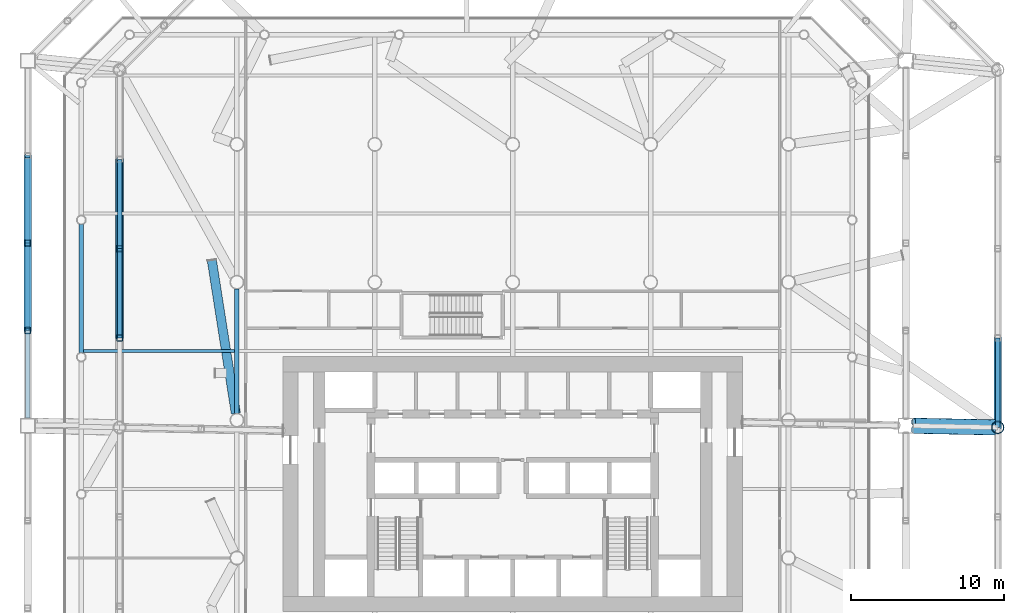
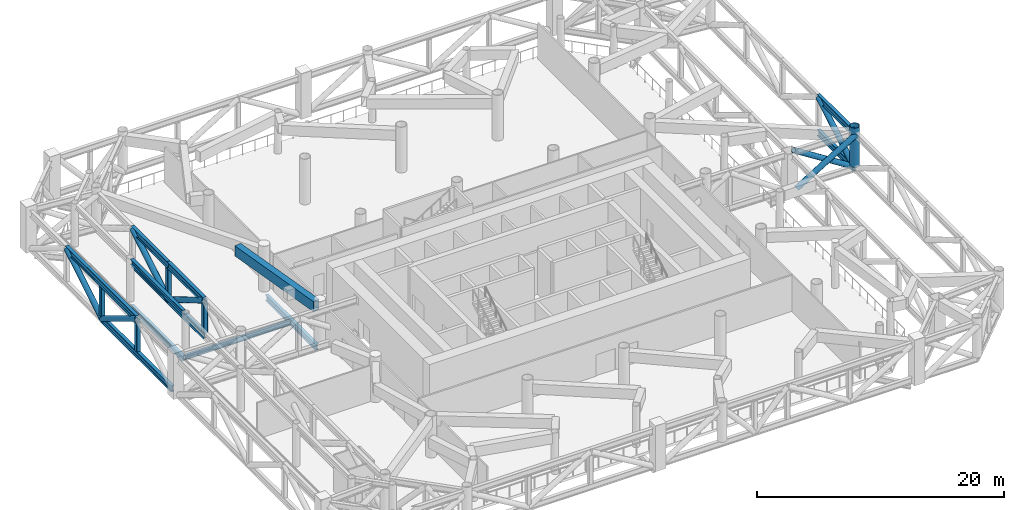
# One storey, part 5 of 22: 13 beams, 12 members.
"""IFC4 building model written with IfcOpenShell, lengths in metres."""

from ifc_helpers import new_model, si_unit, direction, frame, origin, origin_2d, place, context, subcontext, project, spatial, hollow_rectangle, hollow_circle, i_section, extrude, material, material_profile, profile_set, type_object, element, save


model = new_model("IFC4")

# Units and contexts
model_context = context("Model", 3, precision=1e-05, world=origin(), true_north=direction((0.0, 1.0)))
body_context = subcontext(model_context, "Body", "Model", "MODEL_VIEW")
ifc_project = project(units=[si_unit("LENGTHUNIT", "METRE"), si_unit("AREAUNIT", "SQUARE_METRE"), si_unit("VOLUMEUNIT", "CUBIC_METRE"), si_unit("PLANEANGLEUNIT", "RADIAN"), si_unit("MASSUNIT", "GRAM", prefix="KILO")], contexts=[model_context])

# Site, building, storey
site_placement = place(None, origin())
site = spatial("IfcSite", under=ifc_project, at=site_placement, CompositionType="ELEMENT")
building_placement = place(site_placement, origin())
building = spatial("IfcBuilding", under=site, at=building_placement, Name="Tskaro Facet Tower", CompositionType="ELEMENT")
storey_placement = place(building_placement, frame((0.0, 0.0, 57.60009765625)))
storey = spatial("IfcBuildingStorey", under=building, at=storey_placement, Name="L13", CompositionType="ELEMENT", Elevation=57.60009765625)

# Beam
ifc_material_1 = material(Name="Steel S355J2", Category="steel")
ifc_material_profile_1 = material_profile(ifc_material_1, hollow_rectangle(XDim=0.60009765625, YDim=1.0, WallThickness=0.0400390625, at=origin_2d()), Name="BOX 600x1000x40")
ifc_profile_set_1 = profile_set([ifc_material_profile_1], Name="Steel S355J2")
beam_type_1 = type_object("IfcBeamType", Name="BOX 600x1000x40 transfer girder", PredefinedType="BEAM", material=ifc_profile_set_1)
beam_1_placement = place(storey_placement, frame((-19.638427734375, 10.4365234375, 3.579833984375), z_axis=(0.155093840517, -0.987899742197, 0.0), x_axis=(0.987899742197, 0.155093840517, 0.0)))
element("IfcBeam", 1, at=beam_1_placement, inside=storey, type_object=beam_type_1, Name="BOX 600x1000x40 TG2-16", PredefinedType="BEAM", context=body_context, shape_type="SweptSolid", body=[
    extrude(hollow_rectangle(XDim=0.60009765625, YDim=1.0, WallThickness=0.0400390625, at=origin_2d()), origin(), (0.0, 0.0, 1.0), 10.116943359375),
])

# Members
ifc_material_2 = material(Name="Steel S355J2H", Category="steel")
ifc_material_profile_2 = material_profile(ifc_material_2, hollow_circle(Radius=0.25390625, WallThickness=0.02490234375, at=origin_2d()), Name="CHS 508x25")
ifc_profile_set_2 = profile_set([ifc_material_profile_2], Name="Steel S355J2H")
member_type_1 = type_object("IfcMemberType", Name="CHS 508x25 belt diagonal", PredefinedType="BRACE", material=ifc_profile_set_2)
for number, where, z_axis, x_axis, name in (
    (2, (-31.658935546875, 17.2578125, 3.77001953125), (0.0, -0.855036102786, -0.51856847468), (1.0, 0.0, 0.0), "CHS 508x25 BD1-102"),
    (3, (-31.658935546875, 11.552490234375, 0.309814453125), (0.0, -0.855036102786, 0.51856847468), (1.0, 0.0, 0.0), "CHS 508x25 BD1-103"),
):
    element("IfcMember", number, at=place(storey_placement, frame(where, z_axis=z_axis, x_axis=x_axis)), inside=storey, type_object=member_type_1, Name=name, PredefinedType="BRACE", context=body_context, shape_type="SweptSolid", body=[
        extrude(hollow_circle(Radius=0.25390625, WallThickness=0.02490234375, at=origin_2d()), origin(), (0.0, 0.0, 1.0), 6.672607421875),
    ])
for number, where, z_axis, x_axis, name in (
    (4, (31.658935546875, -0.47802734375, 0.309814453125), (0.0, 0.860104974489, 0.510117077601), (-1.0, 0.0, 0.0), "CHS 508x25 TB1-05-D1"),
    (5, (-25.658935546875, 17.024658203125, 3.77001953125), (0.0, -0.860104974489, -0.510117077601), (1.0, 0.0, 0.0), "CHS 508x25 TB1-10-D2"),
    (6, (-25.658935546875, 11.1904296875, 0.309814453125), (0.0, -0.860104974489, 0.510117077601), (1.0, 0.0, 0.0), "CHS 508x25 TB1-10-D3"),
):
    element("IfcMember", number, at=place(storey_placement, frame(where, z_axis=z_axis, x_axis=x_axis)), inside=storey, type_object=member_type_1, Name=name, PredefinedType="BRACE", context=body_context, shape_type="SweptSolid", body=[
        extrude(hollow_circle(Radius=0.25390625, WallThickness=0.02490234375, at=origin_2d()), origin(), (0.0, 0.0, 1.0), 6.783203125),
    ])
for number, where, z_axis, x_axis, name in (
    (7, (26.15380859375, -0.621826171875, 0.309814453125), (0.846302660007, -0.016942582549, 0.532432865779), (0.020015520725, 0.999799669399, 0.0), "CHS 508x25 TL1-05B-D1"),
    (8, (26.1640625, -0.114013671875, 3.77001953125), (0.846302660007, -0.016942582549, -0.532432865779), (0.020015520725, 0.999799669399, 0.0), "CHS 508x25 TL1-05B-D2"),
):
    element("IfcMember", number, at=place(storey_placement, frame(where, z_axis=z_axis, x_axis=x_axis)), inside=storey, type_object=member_type_1, Name=name, PredefinedType="BRACE", context=body_context, shape_type="SweptSolid", body=[
        extrude(hollow_circle(Radius=0.25390625, WallThickness=0.02490234375, at=origin_2d()), origin(), (0.0, 0.0, 1.0), 6.498779296875),
    ])
ifc_material_profile_3 = material_profile(ifc_material_2, hollow_circle(Radius=0.406494140625, WallThickness=0.035888671875, at=origin_2d()), Name="CHS 812.8x36")
ifc_profile_set_3 = profile_set([ifc_material_profile_3], Name="Steel S355J2H")
member_type_2 = type_object("IfcMemberType", Name="CHS 812.8x36 transfer node post", PredefinedType="POST", material=ifc_profile_set_3)
member_placement = place(storey_placement, frame((31.658935546875, -0.47802734375, 0.619873046875), z_axis=(0.0, 0.0, 1.0), x_axis=(1.0, 0.0, 0.0)))
element("IfcMember", 9, at=member_placement, inside=storey, type_object=member_type_2, Name="CHS 812.8x36 TN1-05", PredefinedType="POST", context=body_context, shape_type="SweptSolid", body=[
    extrude(hollow_circle(Radius=0.406494140625, WallThickness=0.035888671875, at=origin_2d()), origin(), (0.0, 0.0, 1.0), 3.880126953125),
])

# Beams
ifc_material_profile_4 = material_profile(ifc_material_1, i_section(OverallWidth=0.300048828125, OverallDepth=0.5, WebThickness=0.014404296875, FlangeThickness=0.028076171875, FilletRadius=0.027099609375, at=origin_2d()), Name="HE 500 B")
ifc_profile_set_4 = profile_set([ifc_material_profile_4], Name="Steel S355J2")
beam_type_2 = type_object("IfcBeamType", Name="HE 500 B ring beam", PredefinedType="BEAM", material=ifc_profile_set_4)
for number, where, z_axis, x_axis, name in (
    (10, (-28.156982421875, 12.7890625, -0.5), (0.0, -1.0, 0.0), (1.0, 0.0, 0.0), "HE 500 B EB21-1"),
    (11, (-28.156982421875, 12.7890625, 4.0), (0.0, -1.0, 0.0), (1.0, 0.0, 0.0), "HE 500 B EB21-1R"),
):
    element("IfcBeam", number, at=place(storey_placement, frame(where, z_axis=z_axis, x_axis=x_axis)), inside=storey, type_object=beam_type_2, Name=name, PredefinedType="BEAM", context=body_context, shape_type="SweptSolid", body=[
        extrude(i_section(OverallWidth=0.300048828125, OverallDepth=0.5, WebThickness=0.014404296875, FlangeThickness=0.028076171875, FilletRadius=0.027099609375, at=origin_2d()), origin(), (0.0, 0.0, 1.0), 8.39794921875),
    ])
ifc_material_profile_5 = material_profile(ifc_material_1, i_section(OverallWidth=0.300048828125, OverallDepth=0.590087890625, WebThickness=0.012939453125, FlangeThickness=0.02490234375, FilletRadius=0.027099609375, at=origin_2d()), Name="HE 600 A")
ifc_profile_set_5 = profile_set([ifc_material_profile_5], Name="Steel S355J2")
beam_type_3 = type_object("IfcBeamType", Name="HE 600 A girder", PredefinedType="BEAM", material=ifc_profile_set_5)
beam_2_placement = place(storey_placement, frame((-18.0, 0.42724609375, -0.545166015625), z_axis=(0.0, 1.0, 0.0), x_axis=(-1.0, 0.0, 0.0)))
element("IfcBeam", 12, at=beam_2_placement, inside=storey, type_object=beam_type_3, Name="HE 600 A GB2-4-1", PredefinedType="BEAM", context=body_context, shape_type="SweptSolid", body=[
    extrude(i_section(OverallWidth=0.300048828125, OverallDepth=0.590087890625, WebThickness=0.012939453125, FlangeThickness=0.02490234375, FilletRadius=0.027099609375, at=origin_2d()), origin(), (0.0, 0.0, 1.0), 8.1455078125),
])
ifc_material_profile_6 = material_profile(ifc_material_1, i_section(OverallWidth=0.304931640625, OverallDepth=0.6201171875, WebThickness=0.02099609375, FlangeThickness=0.0400390625, FilletRadius=0.027099609375, at=origin_2d()), Name="HE 600 M")
ifc_profile_set_6 = profile_set([ifc_material_profile_6], Name="Steel S355J2")
beam_type_4 = type_object("IfcBeamType", Name="HE 600 M belt chord", PredefinedType="BEAM", material=ifc_profile_set_6)
beam_3_placement = place(storey_placement, frame((-31.658935546875, 17.2578125, 3.77001953125), z_axis=(0.0, -1.0, 0.0), x_axis=(1.0, 0.0, 0.0)))
element("IfcBeam", 13, at=beam_3_placement, inside=storey, type_object=beam_type_4, Name="HE 600 M BT1-10T2", PredefinedType="BEAM", context=body_context, shape_type="SweptSolid", body=[
    extrude(i_section(OverallWidth=0.304931640625, OverallDepth=0.6201171875, WebThickness=0.02099609375, FlangeThickness=0.0400390625, FilletRadius=0.027099609375, at=origin_2d()), origin(), (0.0, 0.0, 1.0), 11.41064453125),
])
beam_4_placement = place(storey_placement, frame((-31.658935546875, 11.552490234375, 0.309814453125), z_axis=(0.0, -1.0, 0.0), x_axis=(1.0, 0.0, 0.0)))
element("IfcBeam", 14, at=beam_4_placement, inside=storey, type_object=beam_type_4, Name="HE 600 M BT1-10B2", PredefinedType="BEAM", context=body_context, shape_type="SweptSolid", body=[
    extrude(i_section(OverallWidth=0.304931640625, OverallDepth=0.6201171875, WebThickness=0.02099609375, FlangeThickness=0.0400390625, FilletRadius=0.027099609375, at=origin_2d()), origin(), (0.0, 0.0, 1.0), 11.410400390625),
])
for number, where, z_axis, x_axis, name in (
    (15, (31.658935546875, -0.47802734375, 3.77001953125), (0.0, 1.0, 0.0), (-1.0, 0.0, 0.0), "HE 600 M TB1-05-T1"),
    (16, (31.658935546875, -0.47802734375, 0.309814453125), (0.0, 1.0, 0.0), (-1.0, 0.0, 0.0), "HE 600 M TB1-05-B1"),
    (17, (-25.658935546875, 17.024658203125, 3.77001953125), (0.0, -1.0, 0.0), (1.0, 0.0, 0.0), "HE 600 M TB1-10-T2"),
    (18, (-25.658935546875, 17.024658203125, 0.309814453125), (0.0, -1.0, 0.0), (1.0, 0.0, 0.0), "HE 600 M TB1-10-B2"),
    (19, (-25.658935546875, 11.1904296875, 3.77001953125), (0.0, -1.0, 0.0), (1.0, 0.0, 0.0), "HE 600 M TB1-10-T3"),
    (20, (-25.658935546875, 11.1904296875, 0.309814453125), (0.0, -1.0, 0.0), (1.0, 0.0, 0.0), "HE 600 M TB1-10-B3"),
):
    element("IfcBeam", number, at=place(storey_placement, frame(where, z_axis=z_axis, x_axis=x_axis)), inside=storey, type_object=beam_type_4, Name=name, PredefinedType="BEAM", context=body_context, shape_type="SweptSolid", body=[
        extrude(i_section(OverallWidth=0.304931640625, OverallDepth=0.6201171875, WebThickness=0.02099609375, FlangeThickness=0.0400390625, FilletRadius=0.027099609375, at=origin_2d()), origin(), (0.0, 0.0, 1.0), 5.834228515625),
    ])
ifc_material_profile_7 = material_profile(ifc_material_1, i_section(OverallWidth=0.199951171875, OverallDepth=0.5, WebThickness=0.01025390625, FlangeThickness=0.01611328125, FilletRadius=0.02099609375, at=origin_2d()), Name="IPE 500")
ifc_profile_set_7 = profile_set([ifc_material_profile_7], Name="Steel S355J2")
beam_type_5 = type_object("IfcBeamType", Name="IPE 500 secondary beam", PredefinedType="BEAM", material=ifc_profile_set_7)
beam_5_placement = place(storey_placement, frame((-28.007080078125, 4.5, -0.5), z_axis=(1.0, 0.0, 0.0), x_axis=(0.0, 1.0, 0.0)))
element("IfcBeam", 21, at=beam_5_placement, inside=storey, type_object=beam_type_5, Name="IPE 500 SB4a-1-1", PredefinedType="BEAM", context=body_context, shape_type="SweptSolid", body=[
    extrude(i_section(OverallWidth=0.199951171875, OverallDepth=0.5, WebThickness=0.01025390625, FlangeThickness=0.01611328125, FilletRadius=0.02099609375, at=origin_2d()), origin(), (0.0, 0.0, 1.0), 9.857177734375),
])

# Members
ifc_material_profile_8 = material_profile(ifc_material_2, hollow_rectangle(XDim=0.39990234375, YDim=0.39990234375, WallThickness=0.02490234375, InnerFilletRadius=0.03759765625, OuterFilletRadius=0.0625, at=origin_2d()), Name="SHS 400x400x25")
ifc_profile_set_8 = profile_set([ifc_material_profile_8], Name="Steel S355J2H")
member_type_3 = type_object("IfcMemberType", Name="SHS 400x400x25 belt post", PredefinedType="POST", material=ifc_profile_set_8)
for number, where, z_axis, x_axis, name in (
    (22, (-31.658935546875, 11.552490234375, 0.619873046875), (0.0, 0.0, 1.0), (1.0, 0.0, 0.0), "SHS 400x400x25 BP1-102"),
    (23, (-31.658935546875, 5.84716796875, 0.619873046875), (0.0, 0.0, 1.0), (1.0, 0.0, 0.0), "SHS 400x400x25 BP1-103"),
    (24, (-25.658935546875, 11.1904296875, 0.619873046875), (0.0, 0.0, 1.0), (1.0, 0.0, 0.0), "SHS 400x400x25 TB1-10-P2"),
    (25, (-25.658935546875, 5.356201171875, 0.619873046875), (0.0, 0.0, 1.0), (1.0, 0.0, 0.0), "SHS 400x400x25 TB1-10-P3"),
):
    element("IfcMember", number, at=place(storey_placement, frame(where, z_axis=z_axis, x_axis=x_axis)), inside=storey, type_object=member_type_3, Name=name, PredefinedType="POST", context=body_context, shape_type="SweptSolid", body=[
        extrude(hollow_rectangle(XDim=0.39990234375, YDim=0.39990234375, WallThickness=0.02490234375, InnerFilletRadius=0.03759765625, OuterFilletRadius=0.0625, at=origin_2d()), origin(), (0.0, 0.0, 1.0), 2.840087890625),
    ])

save(model, "model.ifc")
